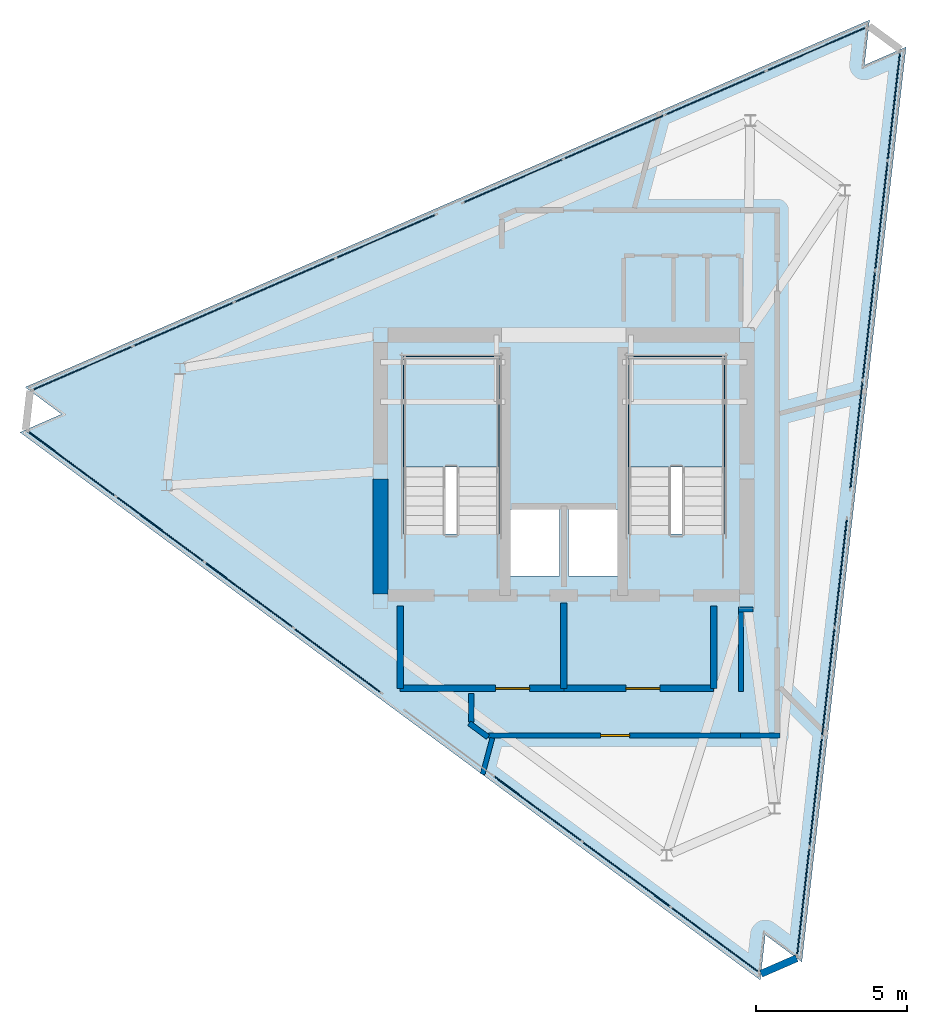
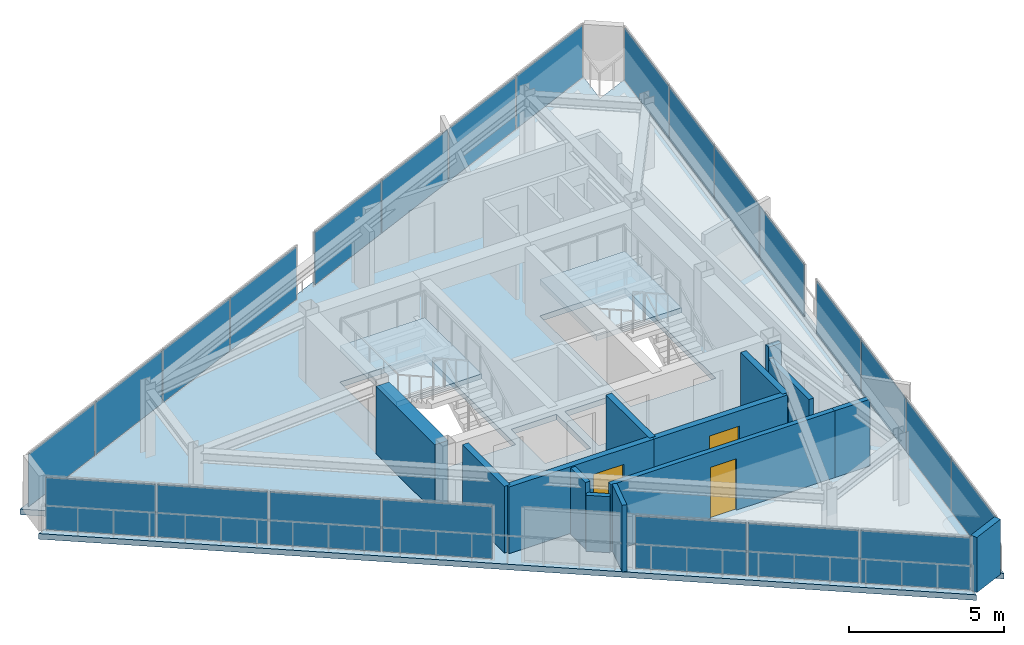
# One storey, part 6 of 9: 23 plates, 14 walls, 3 doors, 3 slabs, 3 openings, 8 elements without a shape of their own.
"""IFC4 building model written with IfcOpenShell, lengths in metres."""

from ifc_helpers import new_model, si_unit, direction, frame, frame_2d, origin, origin_2d, place, context, subcontext, project, spatial, polyline, rectangle, outline, extrude, material, layer, layer_set, type_object, element, fill, aggregate, save


model = new_model("IFC4")

# Units and contexts
model_context = context("Model", 3, precision=1e-05, world=origin(), true_north=direction((0.0, 1.0)))
body_context = subcontext(model_context, "Body", "Model", "MODEL_VIEW")
ifc_project = project(units=[si_unit("LENGTHUNIT", "METRE"), si_unit("AREAUNIT", "SQUARE_METRE"), si_unit("VOLUMEUNIT", "CUBIC_METRE"), si_unit("PLANEANGLEUNIT", "RADIAN"), si_unit("MASSUNIT", "GRAM", prefix="KILO")], contexts=[model_context])

# Site, building, storey
site_placement = place(None, origin())
site = spatial("IfcSite", under=ifc_project, at=site_placement, CompositionType="ELEMENT")
building_placement = place(site_placement, origin())
building = spatial("IfcBuilding", under=site, at=building_placement, Name="Rocaltana Carrier Exchange", CompositionType="ELEMENT")
storey_placement = place(building_placement, frame((0.0, 0.0, 243.360107421875)))
storey = spatial("IfcBuildingStorey", under=building, at=storey_placement, Name="L77", CompositionType="ELEMENT", Elevation=243.360107421875)

# Curtain wall, plates
ifc_material_1 = material(Name="Aluminium 6063-T6", Category="aluminium")
ifc_layer_1 = layer(ifc_material_1, 0.110107421875)
ifc_layer_set_1 = layer_set([ifc_layer_1], Name="Aluminium 6063-T6")
curtain_wall_type = type_object("IfcCurtainWallType", Name="Crown Lantern Faceted Curtain Wall CW-06", PredefinedType="NOTDEFINED", material=ifc_layer_set_1)
curtain_wall_1_placement = place(storey_placement, origin())
curtain_wall_1 = element("IfcCurtainWall", 1, at=curtain_wall_1_placement, inside=storey, type_object=curtain_wall_type, Name="L77 CW-06 Run CW06-L77-F1S1", PredefinedType="NOTDEFINED")
ifc_material_2 = material(Name="Tempered Laminated Glass", Category="glass")
ifc_layer_2 = layer(ifc_material_2, 0.033935546875)
ifc_layer_set_2 = layer_set([ifc_layer_2], Name="Tempered Laminated Glass")
plate_type = type_object("IfcPlateType", Name="CW-06 Stone-Insulated Vision Panel", PredefinedType="CURTAIN_PANEL", material=ifc_layer_set_2)
plate_1_placement = place(storey_placement, frame((7.9052734375, -14.197509765625, 0.054931640625), z_axis=(0.0, 0.0, 1.0), x_axis=(0.113205058236, 0.993571645524, 0.0)))
plate_1 = element("IfcPlate", 2, at=plate_1_placement, type_object=plate_type, Name="CW-06 panel 1.1", PredefinedType="CURTAIN_PANEL", context=body_context, shape_type="SweptSolid", body=[
    extrude(rectangle(XDim=3.567626953125, YDim=0.033935546875, at=origin_2d()), origin(), (0.0, 0.0, 1.0), 2.05810546875),
])
plate_2_placement = place(storey_placement, frame((8.31689453125, -10.58447265625, 0.054931640625), z_axis=(0.0, 0.0, 1.0), x_axis=(0.113205058236, 0.993571645524, 0.0)))
plate_2 = element("IfcPlate", 3, at=plate_2_placement, type_object=plate_type, Name="CW-06 panel 2.1", PredefinedType="CURTAIN_PANEL", context=body_context, shape_type="SweptSolid", body=[
    extrude(rectangle(XDim=3.594970703125, YDim=0.033935546875, at=origin_2d()), origin(), (0.0, 0.0, 1.0), 2.05810546875),
])
plate_3_placement = place(storey_placement, frame((8.730224609375, -6.9580078125, 0.054931640625), z_axis=(0.0, 0.0, 1.0), x_axis=(0.113205058236, 0.993571645524, 0.0)))
plate_3 = element("IfcPlate", 4, at=plate_3_placement, type_object=plate_type, Name="CW-06 panel 3.1", PredefinedType="CURTAIN_PANEL", context=body_context, shape_type="SweptSolid", body=[
    extrude(rectangle(XDim=3.594970703125, YDim=0.033935546875, at=origin_2d()), origin(), (0.0, 0.0, 1.0), 2.05810546875),
])
plate_4_placement = place(storey_placement, frame((9.141845703125, -3.34521484375, 0.054931640625), z_axis=(0.0, 0.0, 1.0), x_axis=(0.113205058236, 0.993571645524, 0.0)))
plate_4 = element("IfcPlate", 5, at=plate_4_placement, type_object=plate_type, Name="CW-06 panel 4.1", PredefinedType="CURTAIN_PANEL", context=body_context, shape_type="SweptSolid", body=[
    extrude(rectangle(XDim=3.567626953125, YDim=0.033935546875, at=origin_2d()), origin(), (0.0, 0.0, 1.0), 2.05810546875),
])
aggregate(curtain_wall_1, [plate_1, plate_2, plate_3, plate_4])

curtain_wall_2_placement = place(storey_placement, origin())
curtain_wall_2 = element("IfcCurtainWall", 6, at=curtain_wall_2_placement, inside=storey, type_object=curtain_wall_type, Name="L77 CW-06 Run CW06-L77-F1S2", PredefinedType="NOTDEFINED")
plate_5_placement = place(storey_placement, frame((9.66015625, 1.202880859375, 0.054931640625), z_axis=(0.0, 0.0, 1.0), x_axis=(0.113198296715, 0.993572415892, 0.0)))
plate_5 = element("IfcPlate", 7, at=plate_5_placement, type_object=plate_type, Name="CW-06 panel 1.1", PredefinedType="CURTAIN_PANEL", context=body_context, shape_type="SweptSolid", body=[
    extrude(rectangle(XDim=3.567626953125, YDim=0.033935546875, at=origin_2d()), origin(), (0.0, 0.0, 1.0), 2.05810546875),
])
plate_6_placement = place(storey_placement, frame((10.07177734375, 4.81591796875, 0.054931640625), z_axis=(0.0, 0.0, 1.0), x_axis=(0.113198296715, 0.993572415892, 0.0)))
plate_6 = element("IfcPlate", 8, at=plate_6_placement, type_object=plate_type, Name="CW-06 panel 2.1", PredefinedType="CURTAIN_PANEL", context=body_context, shape_type="SweptSolid", body=[
    extrude(rectangle(XDim=3.594970703125, YDim=0.033935546875, at=origin_2d()), origin(), (0.0, 0.0, 1.0), 2.05810546875),
])
plate_7_placement = place(storey_placement, frame((10.48486328125, 8.4423828125, 0.054931640625), z_axis=(0.0, 0.0, 1.0), x_axis=(0.113198296715, 0.993572415892, 0.0)))
plate_7 = element("IfcPlate", 9, at=plate_7_placement, type_object=plate_type, Name="CW-06 panel 3.1", PredefinedType="CURTAIN_PANEL", context=body_context, shape_type="SweptSolid", body=[
    extrude(rectangle(XDim=3.594970703125, YDim=0.033935546875, at=origin_2d()), origin(), (0.0, 0.0, 1.0), 2.05810546875),
])
plate_8_placement = place(storey_placement, frame((10.896484375, 12.05517578125, 0.054931640625), z_axis=(0.0, 0.0, 1.0), x_axis=(0.113198296715, 0.993572415892, 0.0)))
plate_8 = element("IfcPlate", 10, at=plate_8_placement, type_object=plate_type, Name="CW-06 panel 4.1", PredefinedType="CURTAIN_PANEL", context=body_context, shape_type="SweptSolid", body=[
    extrude(rectangle(XDim=3.567626953125, YDim=0.033935546875, at=origin_2d()), origin(), (0.0, 0.0, 1.0), 2.05810546875),
])
aggregate(curtain_wall_2, [plate_5, plate_6, plate_7, plate_8])

curtain_wall_3_placement = place(storey_placement, origin())
curtain_wall_3 = element("IfcCurtainWall", 11, at=curtain_wall_3_placement, inside=storey, type_object=curtain_wall_type, Name="L77 CW-06 Run CW06-L77-F2S1", PredefinedType="NOTDEFINED")
plate_9_placement = place(storey_placement, frame((8.3427734375, 13.945068359375, 0.054931640625), z_axis=(0.0, 0.0, 1.0), x_axis=(-0.917058731137, -0.398752158171, 0.0)))
plate_9 = element("IfcPlate", 12, at=plate_9_placement, type_object=plate_type, Name="CW-06 panel 1.1", PredefinedType="CURTAIN_PANEL", context=body_context, shape_type="SweptSolid", body=[
    extrude(rectangle(XDim=3.567626953125, YDim=0.033935546875, at=origin_2d()), origin(), (0.0, 0.0, 1.0), 2.05810546875),
])
plate_10_placement = place(storey_placement, frame((5.008056640625, 12.4951171875, 0.054931640625), z_axis=(0.0, 0.0, 1.0), x_axis=(-0.917058731137, -0.398752158171, 0.0)))
plate_10 = element("IfcPlate", 13, at=plate_10_placement, type_object=plate_type, Name="CW-06 panel 2.1", PredefinedType="CURTAIN_PANEL", context=body_context, shape_type="SweptSolid", body=[
    extrude(rectangle(XDim=3.594970703125, YDim=0.033935546875, at=origin_2d()), origin(), (0.0, 0.0, 1.0), 2.05810546875),
])
plate_11_placement = place(storey_placement, frame((1.66064453125, 11.03955078125, 0.054931640625), z_axis=(0.0, 0.0, 1.0), x_axis=(-0.917058731137, -0.398752158171, 0.0)))
plate_11 = element("IfcPlate", 14, at=plate_11_placement, type_object=plate_type, Name="CW-06 panel 3.1", PredefinedType="CURTAIN_PANEL", context=body_context, shape_type="SweptSolid", body=[
    extrude(rectangle(XDim=3.594970703125, YDim=0.033935546875, at=origin_2d()), origin(), (0.0, 0.0, 1.0), 2.05810546875),
])
plate_12_placement = place(storey_placement, frame((-1.674072265625, 9.589599609375, 0.054931640625), z_axis=(0.0, 0.0, 1.0), x_axis=(-0.917058731137, -0.398752158171, 0.0)))
plate_12 = element("IfcPlate", 15, at=plate_12_placement, type_object=plate_type, Name="CW-06 panel 4.1", PredefinedType="CURTAIN_PANEL", context=body_context, shape_type="SweptSolid", body=[
    extrude(rectangle(XDim=3.567626953125, YDim=0.033935546875, at=origin_2d()), origin(), (0.0, 0.0, 1.0), 2.05810546875),
])
aggregate(curtain_wall_3, [plate_9, plate_10, plate_11, plate_12])

curtain_wall_4_placement = place(storey_placement, origin())
curtain_wall_4 = element("IfcCurtainWall", 16, at=curtain_wall_4_placement, inside=storey, type_object=curtain_wall_type, Name="L77 CW-06 Run CW06-L77-F2S2", PredefinedType="NOTDEFINED")
plate_13_placement = place(storey_placement, frame((-5.871826171875, 7.764404296875, 0.054931640625), z_axis=(0.0, 0.0, 1.0), x_axis=(-0.917058731137, -0.398752158171, 0.0)))
plate_13 = element("IfcPlate", 17, at=plate_13_placement, type_object=plate_type, Name="CW-06 panel 1.1", PredefinedType="CURTAIN_PANEL", context=body_context, shape_type="SweptSolid", body=[
    extrude(rectangle(XDim=3.567626953125, YDim=0.033935546875, at=origin_2d()), origin(), (0.0, 0.0, 1.0), 2.05810546875),
])
plate_14_placement = place(storey_placement, frame((-9.206298828125, 6.314453125, 0.054931640625), z_axis=(0.0, 0.0, 1.0), x_axis=(-0.917058731137, -0.398752158171, 0.0)))
plate_14 = element("IfcPlate", 18, at=plate_14_placement, type_object=plate_type, Name="CW-06 panel 2.1", PredefinedType="CURTAIN_PANEL", context=body_context, shape_type="SweptSolid", body=[
    extrude(rectangle(XDim=3.594970703125, YDim=0.033935546875, at=origin_2d()), origin(), (0.0, 0.0, 1.0), 2.05810546875),
])
plate_15_placement = place(storey_placement, frame((-12.5537109375, 4.85888671875, 0.054931640625), z_axis=(0.0, 0.0, 1.0), x_axis=(-0.917058731137, -0.398752158171, 0.0)))
plate_15 = element("IfcPlate", 19, at=plate_15_placement, type_object=plate_type, Name="CW-06 panel 3.1", PredefinedType="CURTAIN_PANEL", context=body_context, shape_type="SweptSolid", body=[
    extrude(rectangle(XDim=3.594970703125, YDim=0.033935546875, at=origin_2d()), origin(), (0.0, 0.0, 1.0), 2.05810546875),
])
plate_16_placement = place(storey_placement, frame((-15.888427734375, 3.408935546875, 0.054931640625), z_axis=(0.0, 0.0, 1.0), x_axis=(-0.917058731137, -0.398752158171, 0.0)))
plate_16 = element("IfcPlate", 20, at=plate_16_placement, type_object=plate_type, Name="CW-06 panel 4.1", PredefinedType="CURTAIN_PANEL", context=body_context, shape_type="SweptSolid", body=[
    extrude(rectangle(XDim=3.567626953125, YDim=0.033935546875, at=origin_2d()), origin(), (0.0, 0.0, 1.0), 2.05810546875),
])
aggregate(curtain_wall_4, [plate_13, plate_14, plate_15, plate_16])

curtain_wall_5_placement = place(storey_placement, origin())
curtain_wall_5 = element("IfcCurtainWall", 21, at=curtain_wall_5_placement, inside=storey, type_object=curtain_wall_type, Name="L77 CW-06 Run CW06-L77-F3S1", PredefinedType="NOTDEFINED")
plate_17_placement = place(storey_placement, frame((-16.248046875, 0.25244140625, 0.054931640625), z_axis=(0.0, 0.0, 1.0), x_axis=(0.803857029765, -0.594822558161, 0.0)))
plate_17 = element("IfcPlate", 22, at=plate_17_placement, type_object=plate_type, Name="CW-06 panel 1.1", PredefinedType="CURTAIN_PANEL", context=body_context, shape_type="SweptSolid", body=[
    extrude(rectangle(XDim=3.5673828125, YDim=0.033935546875, at=origin_2d()), origin(), (0.0, 0.0, 1.0), 2.05810546875),
])
plate_18_placement = place(storey_placement, frame((-13.324951171875, -1.910400390625, 0.054931640625), z_axis=(0.0, 0.0, 1.0), x_axis=(0.803857029765, -0.594822558161, 0.0)))
plate_18 = element("IfcPlate", 23, at=plate_18_placement, type_object=plate_type, Name="CW-06 panel 2.1", PredefinedType="CURTAIN_PANEL", context=body_context, shape_type="SweptSolid", body=[
    extrude(rectangle(XDim=3.594970703125, YDim=0.033935546875, at=origin_2d()), origin(), (0.0, 0.0, 1.0), 2.05810546875),
])
plate_19_placement = place(storey_placement, frame((-10.390869140625, -4.08154296875, 0.054931640625), z_axis=(0.0, 0.0, 1.0), x_axis=(0.803857029765, -0.594822558161, 0.0)))
plate_19 = element("IfcPlate", 24, at=plate_19_placement, type_object=plate_type, Name="CW-06 panel 3.1", PredefinedType="CURTAIN_PANEL", context=body_context, shape_type="SweptSolid", body=[
    extrude(rectangle(XDim=3.594970703125, YDim=0.033935546875, at=origin_2d()), origin(), (0.0, 0.0, 1.0), 2.05810546875),
])
plate_20_placement = place(storey_placement, frame((-7.4677734375, -6.244384765625, 0.054931640625), z_axis=(0.0, 0.0, 1.0), x_axis=(0.803857029765, -0.594822558161, 0.0)))
plate_20 = element("IfcPlate", 25, at=plate_20_placement, type_object=plate_type, Name="CW-06 panel 4.1", PredefinedType="CURTAIN_PANEL", context=body_context, shape_type="SweptSolid", body=[
    extrude(rectangle(XDim=3.5673828125, YDim=0.033935546875, at=origin_2d()), origin(), (0.0, 0.0, 1.0), 2.05810546875),
])
aggregate(curtain_wall_5, [plate_17, plate_18, plate_19, plate_20])

curtain_wall_6_placement = place(storey_placement, origin())
curtain_wall_6 = element("IfcCurtainWall", 26, at=curtain_wall_6_placement, inside=storey, type_object=curtain_wall_type, Name="L77 CW-06 Run CW06-L77-F3S2", PredefinedType="NOTDEFINED")
plate_21_placement = place(storey_placement, frame((-0.865234375, -11.13037109375, 0.054931640625), z_axis=(0.0, 0.0, 1.0), x_axis=(0.803857029765, -0.594822558161, 0.0)))
plate_21 = element("IfcPlate", 27, at=plate_21_placement, type_object=plate_type, Name="CW-06 panel 2.1", PredefinedType="CURTAIN_PANEL", context=body_context, shape_type="SweptSolid", body=[
    extrude(rectangle(XDim=3.594970703125, YDim=0.033935546875, at=origin_2d()), origin(), (0.0, 0.0, 1.0), 2.05810546875),
])
plate_22_placement = place(storey_placement, frame((2.06884765625, -13.30126953125, 0.054931640625), z_axis=(0.0, 0.0, 1.0), x_axis=(0.803857029765, -0.594822558161, 0.0)))
plate_22 = element("IfcPlate", 28, at=plate_22_placement, type_object=plate_type, Name="CW-06 panel 3.1", PredefinedType="CURTAIN_PANEL", context=body_context, shape_type="SweptSolid", body=[
    extrude(rectangle(XDim=3.594970703125, YDim=0.033935546875, at=origin_2d()), origin(), (0.0, 0.0, 1.0), 2.05810546875),
])
plate_23_placement = place(storey_placement, frame((4.991943359375, -15.46435546875, 0.054931640625), z_axis=(0.0, 0.0, 1.0), x_axis=(0.803857029765, -0.594822558161, 0.0)))
plate_23 = element("IfcPlate", 29, at=plate_23_placement, type_object=plate_type, Name="CW-06 panel 4.1", PredefinedType="CURTAIN_PANEL", context=body_context, shape_type="SweptSolid", body=[
    extrude(rectangle(XDim=3.5673828125, YDim=0.033935546875, at=origin_2d()), origin(), (0.0, 0.0, 1.0), 2.05810546875),
])
aggregate(curtain_wall_6, [plate_21, plate_22, plate_23])

# Slab
ifc_material_3 = material(Name="Concrete C50/60", Category="concrete")
ifc_layer_3 = layer(ifc_material_3, 0.219970703125)
ifc_layer_set_3 = layer_set([ifc_layer_3], Name="Concrete C50/60")
slab_type_1 = type_object("IfcSlabType", Name="Crown Pyramid Slab 220", PredefinedType="FLOOR", material=ifc_layer_set_3)
slab_1_placement = place(storey_placement, frame((0.0, 0.0, -0.22021484375)))
element("IfcSlab", 30, at=slab_1_placement, inside=storey, type_object=slab_type_1, Name="L77 Structural Floor Slab", PredefinedType="FLOOR", context=body_context, shape_type="SweptSolid", body=[
    extrude(outline(polyline([(6.4833984375, -16.7919921875), (6.6533203125, -15.301513671875), (7.859130859375, -16.19384765625), (11.300537109375, 14.0107421875), (9.9248046875, 13.41259765625), (10.0947265625, 14.903076171875), (-17.783935546875, 2.781005859375), (-16.578125, 1.888916015625), (-17.953857421875, 1.290771484375), (6.4833984375, -16.7919921875)]), holes=[polyline([(-5.300048828125, -2.06005859375), (-2.139892578125, -2.06005859375), (-2.139892578125, 3.800048828125), (-5.300048828125, 3.800048828125), (-5.300048828125, -2.06005859375)]), polyline([(2.139892578125, -2.06005859375), (5.300048828125, -2.06005859375), (5.300048828125, 3.800048828125), (2.139892578125, 3.800048828125), (2.139892578125, -2.06005859375)]), polyline([(-1.85009765625, -3.449951171875), (-0.14990234375, -3.449951171875), (-0.14990234375, -1.25), (-1.85009765625, -1.25), (-1.85009765625, -3.449951171875)]), polyline([(0.14990234375, -3.449951171875), (1.85009765625, -3.449951171875), (1.85009765625, -1.25), (0.14990234375, -1.25), (0.14990234375, -3.449951171875)])]), origin(), (0.0, 0.0, 1.0), 0.22021484375),
])

# Stair, slab
ifc_material_4 = material(Name="Precast concrete C45/55", Category="concrete")
stair_type = type_object("IfcStairType", Name="Standard Dog-Leg Stair 160", PredefinedType="HALF_TURN_STAIR", material=ifc_material_4)
stair_1_placement = place(storey_placement, origin())
stair_1 = element("IfcStair", 31, at=stair_1_placement, inside=storey, type_object=stair_type, Name="L77 Core West Exit Stair ST-1", PredefinedType="HALF_TURN_STAIR")
ifc_material_5 = material(Name="Precast concrete C45/55", Category="concrete")
ifc_layer_4 = layer(ifc_material_5, 0.199951171875)
ifc_layer_set_4 = layer_set([ifc_layer_4], Name="Precast concrete C45/55")
slab_type_2 = type_object("IfcSlabType", Name="Precast Stair Half-Landing 200", PredefinedType="LANDING", material=ifc_layer_set_4)
slab_2_placement = place(storey_placement, frame((0.0, 0.0, 1.239990234375)))
slab_2 = element("IfcSlab", 32, at=slab_2_placement, type_object=slab_type_2, Name="ST-1 landing 1", PredefinedType="LANDING", context=body_context, shape_type="SweptSolid", body=[
    extrude(outline(polyline([(-2.139892578125, 0.139892578125), (-2.139892578125, 3.800048828125), (-5.300048828125, 3.800048828125), (-5.300048828125, 0.139892578125), (-2.139892578125, 0.139892578125)])), origin(), (0.0, 0.0, 1.0), 0.199951171875),
])
aggregate(stair_1, [slab_2])

stair_2_placement = place(storey_placement, origin())
stair_2 = element("IfcStair", 33, at=stair_2_placement, inside=storey, type_object=stair_type, Name="L77 Core East Exit Stair ST-2", PredefinedType="HALF_TURN_STAIR")
slab_3_placement = place(storey_placement, frame((0.0, 0.0, 1.239990234375)))
slab_3 = element("IfcSlab", 34, at=slab_3_placement, type_object=slab_type_2, Name="ST-2 landing 1", PredefinedType="LANDING", context=body_context, shape_type="SweptSolid", body=[
    extrude(outline(polyline([(5.300048828125, 0.139892578125), (5.300048828125, 3.800048828125), (2.139892578125, 3.800048828125), (2.139892578125, 0.139892578125), (5.300048828125, 0.139892578125)])), origin(), (0.0, 0.0, 1.0), 0.199951171875),
])
aggregate(stair_2, [slab_3])

# Walls
ifc_material_6 = material(Name="Double Acoustic Gypsum Partition", Category="gypsum")
ifc_layer_5 = layer(ifc_material_6, 0.159912109375)
ifc_layer_set_5 = layer_set([ifc_layer_5], Name="Double Acoustic Gypsum Partition")
wall_type_1 = type_object("IfcWallType", Name="Acoustic Studio Partition 160 EI60", PredefinedType="PARTITIONING", material=ifc_layer_set_5)
wall_1_placement = place(storey_placement, frame((-2.35791015625, -8.800048828125, 0.0), z_axis=(0.0, 0.0, 1.0), x_axis=(-0.258739361089, -0.965947174034, 0.0)))
element("IfcWall", 35, at=wall_1_placement, inside=storey, type_object=wall_type_1, Name="L77 Suite Divider Wall D1", PredefinedType="PARTITIONING", context=body_context, shape_type="SweptSolid", body=[
    extrude(rectangle(XDim=1.24169921875, YDim=0.159912109375, at=frame_2d((0.620849609375, 0.0))), origin(), (0.0, 0.0, 1.0), 2.622802734375),
])
ifc_material_7 = material(Name="Concrete C50/60", Category="concrete")
ifc_layer_6 = layer(ifc_material_7, 0.5)
ifc_layer_set_6 = layer_set([ifc_layer_6], Name="Concrete C50/60")
wall_type_2 = type_object("IfcWallType", Name="Core Shear Wall 500", PredefinedType="SHEAR", material=ifc_layer_set_6)
wall_2_placement = place(storey_placement, frame((-6.050048828125, -4.050048828125, 0.0), z_axis=(0.0, 0.0, 1.0), x_axis=(0.0, 1.0, 0.0)))
element("IfcWall", 36, at=wall_2_placement, inside=storey, type_object=wall_type_2, Name="L77 Core Shear Wall CW-WS", PredefinedType="SHEAR", context=body_context, shape_type="SweptSolid", body=[
    extrude(rectangle(XDim=3.800048828125, YDim=0.5, at=frame_2d((1.89990234375, 0.0))), origin(), (0.0, 0.0, 1.0), 2.64794921875),
])
ifc_material_8 = material(Name="Gypsum & Steel Stud Partition", Category="steel")
ifc_layer_7 = layer(ifc_material_8, 0.179931640625)
ifc_layer_set_7 = layer_set([ifc_layer_7], Name="Gypsum & Steel Stud Partition")
wall_type_3 = type_object("IfcWallType", Name="Corridor Fire Partition 180 EI60", PredefinedType="PARTITIONING", material=ifc_layer_set_7)
wall_3_placement = place(storey_placement, frame((-2.50341796875, -8.7734375, 0.0), z_axis=(0.0, 0.0, 1.0), x_axis=(-0.803978362095, 0.594658551845, 0.0)))
element("IfcWall", 37, at=wall_3_placement, inside=storey, type_object=wall_type_3, Name="L77 Corridor Partition 1", PredefinedType="PARTITIONING", context=body_context, shape_type="SweptSolid", body=[
    extrude(rectangle(XDim=0.769775390625, YDim=0.179931640625, at=frame_2d((0.384765625, 0.0))), origin(), (0.0, 0.0, 1.0), 2.202880859375),
])
wall_4_placement = place(storey_placement, frame((-3.050048828125, -8.279052734375, 0.0), z_axis=(0.0, 0.0, 1.0), x_axis=(0.0, 1.0, 0.0)))
element("IfcWall", 38, at=wall_4_placement, inside=storey, type_object=wall_type_3, Name="L77 Corridor Partition 2", PredefinedType="PARTITIONING", context=body_context, shape_type="SweptSolid", body=[
    extrude(rectangle(XDim=0.948974609375, YDim=0.179931640625, at=frame_2d((0.474609375, 0.0))), origin(), (0.0, 0.0, 1.0), 2.622802734375),
])
wall_5_placement = place(storey_placement, frame((5.85009765625, -7.260009765625, 0.0), z_axis=(0.0, 0.0, 1.0), x_axis=(0.0, 1.0, 0.0)))
element("IfcWall", 39, at=wall_5_placement, inside=storey, type_object=wall_type_3, Name="L77 Corridor Partition 3", PredefinedType="PARTITIONING", context=body_context, shape_type="SweptSolid", body=[
    extrude(rectangle(XDim=2.610107421875, YDim=0.179931640625, at=frame_2d((1.30517578125, 0.0))), origin(), (0.0, 0.0, 1.0), 2.15283203125),
])
wall_6_placement = place(storey_placement, frame((5.760009765625, -4.56005859375, 0.0), z_axis=(0.0, 0.0, 1.0), x_axis=(1.0, 0.0, 0.0)))
element("IfcWall", 40, at=wall_6_placement, inside=storey, type_object=wall_type_3, Name="L77 Corridor Partition 4", PredefinedType="PARTITIONING", context=body_context, shape_type="SweptSolid", body=[
    extrude(rectangle(XDim=0.47998046875, YDim=0.179931640625, at=frame_2d((0.239990234375, 0.0))), origin(), (0.0, 0.0, 1.0), 2.622802734375),
])
wall_7_placement = place(storey_placement, frame((7.139892578125, -8.719970703125, 0.0), z_axis=(0.0, 0.0, 1.0), x_axis=(-1.0, 0.0, 0.0)))
element("IfcWall", 41, at=wall_7_placement, inside=storey, type_object=wall_type_3, Name="L77 Corridor Partition 13", PredefinedType="PARTITIONING", context=body_context, shape_type="SweptSolid", body=[
    extrude(rectangle(XDim=1.309814453125, YDim=0.179931640625, at=frame_2d((0.65478515625, 0.0))), origin(), (0.0, 0.0, 1.0), 2.622802734375),
])

# Wall, opening, door
wall_8_placement = place(storey_placement, frame((5.8701171875, -8.719970703125, 0.0), z_axis=(0.0, 0.0, 1.0), x_axis=(-1.0, 0.0, 0.0)))
wall_8 = element("IfcWall", 42, at=wall_8_placement, inside=storey, type_object=wall_type_3, Name="L77 Corridor Partition 14", PredefinedType="PARTITIONING", context=body_context, shape_type="SweptSolid", body=[
    extrude(rectangle(XDim=8.35595703125, YDim=0.179931640625, at=frame_2d((4.177978515625, 0.0))), origin(), (0.0, 0.0, 1.0), 2.622802734375),
])
opening_1_placement = place(wall_8_placement, frame((3.697998046875, 0.0, 0.0)))
opening_1 = element("IfcOpeningElement", 43, at=opening_1_placement, cuts=wall_8, Name="Opening D-RM098", PredefinedType="OPENING", context=body_context, shape_type="SweptSolid", body=[
    extrude(rectangle(XDim=0.9599609375, YDim=2.02001953125, at=frame_2d((0.47998046875, 1.010009765625))), frame((0.0, 0.099853515625, 0.0), z_axis=(0.0, -1.0, 0.0), x_axis=(1.0, 0.0, 0.0)), (0.0, 0.0, 1.0), 0.199951171875),
])
ifc_material_9 = material(Name="Engineered Hardwood Timber", Category="wood")
door_type_1 = type_object("IfcDoorType", Name="Workspace Single Door 960x2020", OperationType="NOTDEFINED", PredefinedType="DOOR", material=ifc_material_9)
door_1_placement = place(opening_1_placement, origin())
door_1 = element("IfcDoor", 44, at=door_1_placement, inside=storey, type_object=door_type_1, Name="L77 Cloud Architecture Office Entrance Door", OperationType="SINGLE_SWING_RIGHT", OverallHeight=2.02001953125, OverallWidth=0.9599609375, PredefinedType="DOOR", context=body_context, shape_type="SweptSolid", body=[
    extrude(rectangle(XDim=0.9599609375, YDim=2.02001953125, at=frame_2d((0.47998046875, 1.010009765625))), frame((0.0, 0.02490234375, 0.0), z_axis=(0.0, -1.0, 0.0), x_axis=(1.0, 0.0, 0.0)), (0.0, 0.0, 1.0), 0.050048828125),
])
fill(opening_1, door_1)

# Walls
ifc_material_10 = material(Name="Autoclaved Aerated Concrete C30/37", Category="concrete")
ifc_layer_8 = layer(ifc_material_10, 0.219970703125)
ifc_layer_set_8 = layer_set([ifc_layer_8], Name="Autoclaved Aerated Concrete C30/37")
wall_type_4 = type_object("IfcWallType", Name="Firefighting Lobby Wall 220 EI120", PredefinedType="PARTITIONING", material=ifc_layer_set_8)
for number, where, z_axis, x_axis, name in (
    (45, (-5.39990234375, -7.159912109375, 0.0), (0.0, 0.0, 1.0), (0.0, 1.0, 0.0), "L77 FFL Lobby 1 West Wall"),
    (46, (4.949951171875, -7.159912109375, 0.0), (0.0, 0.0, 1.0), (0.0, 1.0, 0.0), "L77 FFL Lobby 2 East Wall"),
):
    element("IfcWall", number, at=place(storey_placement, frame(where, z_axis=z_axis, x_axis=x_axis)), inside=storey, type_object=wall_type_4, Name=name, PredefinedType="PARTITIONING", context=body_context, shape_type="SweptSolid", body=[
        extrude(rectangle(XDim=2.7099609375, YDim=0.219970703125, at=frame_2d((1.35498046875, 0.0))), origin(), (0.0, 0.0, 1.0), 2.622802734375),
    ])
wall_9_placement = place(storey_placement, frame((0.0, -7.159912109375, 0.0), z_axis=(0.0, 0.0, 1.0), x_axis=(0.0, 1.0, 0.0)))
element("IfcWall", 47, at=wall_9_placement, inside=storey, type_object=wall_type_4, Name="L77 FFL Lobby Centre Wall", PredefinedType="PARTITIONING", context=body_context, shape_type="SweptSolid", body=[
    extrude(rectangle(XDim=2.809814453125, YDim=0.219970703125, at=frame_2d((1.40478515625, 0.0))), origin(), (0.0, 0.0, 1.0), 2.622802734375),
])

# Wall, opening, door
wall_10_placement = place(storey_placement, frame((-5.39990234375, -7.159912109375, 0.0), z_axis=(0.0, 0.0, 1.0), x_axis=(1.0, 0.0, 0.0)))
wall_10 = element("IfcWall", 48, at=wall_10_placement, inside=storey, type_object=wall_type_4, Name="L77 FFL Lobby 1 South Wall", PredefinedType="PARTITIONING", context=body_context, shape_type="SweptSolid", body=[
    extrude(rectangle(XDim=5.39990234375, YDim=0.219970703125, at=frame_2d((2.699951171875, 0.0))), origin(), (0.0, 0.0, 1.0), 2.622802734375),
])
opening_2_placement = place(wall_10_placement, frame((3.14990234375, 0.0, 0.0)))
opening_2 = element("IfcOpeningElement", 49, at=opening_2_placement, cuts=wall_10, Name="Opening D-FF115", PredefinedType="OPENING", context=body_context, shape_type="SweptSolid", body=[
    extrude(rectangle(XDim=1.1201171875, YDim=2.02001953125, at=frame_2d((0.56005859375, 1.010009765625))), frame((0.0, 0.119873046875, 0.0), z_axis=(0.0, -1.0, 0.0), x_axis=(1.0, 0.0, 0.0)), (0.0, 0.0, 1.0), 0.239990234375),
])
ifc_material_11 = material(Name="Hollow Metal Fire Door Assembly", Category="steel")
door_type_2 = type_object("IfcDoorType", Name="Firefighting Lobby Door 1120x2020 FD60S", OperationType="NOTDEFINED", PredefinedType="DOOR", material=ifc_material_11)
door_2_placement = place(opening_2_placement, origin())
door_2 = element("IfcDoor", 50, at=door_2_placement, inside=storey, type_object=door_type_2, Name="L77 Firefighting Lift Lobby 1 Door", OperationType="SINGLE_SWING_LEFT", OverallHeight=2.02001953125, OverallWidth=1.1201171875, PredefinedType="DOOR", context=body_context, shape_type="SweptSolid", body=[
    extrude(rectangle(XDim=1.1201171875, YDim=2.02001953125, at=frame_2d((0.56005859375, 1.010009765625))), frame((0.0, 0.02490234375, 0.0), z_axis=(0.0, -1.0, 0.0), x_axis=(1.0, 0.0, 0.0)), (0.0, 0.0, 1.0), 0.050048828125),
])
fill(opening_2, door_2)

wall_11_placement = place(storey_placement, frame((0.0, -7.159912109375, 0.0), z_axis=(0.0, 0.0, 1.0), x_axis=(1.0, 0.0, 0.0)))
wall_11 = element("IfcWall", 51, at=wall_11_placement, inside=storey, type_object=wall_type_4, Name="L77 FFL Lobby 2 South Wall", PredefinedType="PARTITIONING", context=body_context, shape_type="SweptSolid", body=[
    extrude(rectangle(XDim=4.949951171875, YDim=0.219970703125, at=frame_2d((2.47509765625, 0.0))), origin(), (0.0, 0.0, 1.0), 2.622802734375),
])
opening_3_placement = place(wall_11_placement, frame((2.050048828125, 0.0, 0.0)))
opening_3 = element("IfcOpeningElement", 52, at=opening_3_placement, cuts=wall_11, Name="Opening D-FF115", PredefinedType="OPENING", context=body_context, shape_type="SweptSolid", body=[
    extrude(rectangle(XDim=1.1201171875, YDim=2.02001953125, at=frame_2d((0.56005859375, 1.010009765625))), frame((0.0, 0.119873046875, 0.0), z_axis=(0.0, -1.0, 0.0), x_axis=(1.0, 0.0, 0.0)), (0.0, 0.0, 1.0), 0.239990234375),
])
door_3_placement = place(opening_3_placement, origin())
door_3 = element("IfcDoor", 53, at=door_3_placement, inside=storey, type_object=door_type_2, Name="L77 Firefighting Lift Lobby 2 Door", OperationType="SINGLE_SWING_RIGHT", OverallHeight=2.02001953125, OverallWidth=1.1201171875, PredefinedType="DOOR", context=body_context, shape_type="SweptSolid", body=[
    extrude(rectangle(XDim=1.1201171875, YDim=2.02001953125, at=frame_2d((0.56005859375, 1.010009765625))), frame((0.0, 0.02490234375, 0.0), z_axis=(0.0, -1.0, 0.0), x_axis=(1.0, 0.0, 0.0)), (0.0, 0.0, 1.0), 0.050048828125),
])
fill(opening_3, door_3)

# Wall
ifc_material_12 = material(Name="Precast sandstone concrete C40/50", Category="masonry")
ifc_layer_9 = layer(ifc_material_12, 0.239990234375)
ifc_layer_set_9 = layer_set([ifc_layer_9], Name="Precast sandstone concrete C40/50")
wall_type_5 = type_object("IfcWallType", Name="Terrace Stone Parapet Wall 240", PredefinedType="PARAPET", material=ifc_layer_set_9)
wall_12_placement = place(storey_placement, frame((6.51025390625, -16.587646484375, 0.0), z_axis=(0.0, 0.0, 1.0), x_axis=(0.917064030228, 0.398739970986, 0.0)))
element("IfcWall", 54, at=wall_12_placement, inside=storey, type_object=wall_type_5, Name="L77 Crown Corner Mullion Wall C3", PredefinedType="PARAPET", context=body_context, shape_type="SweptSolid", body=[
    extrude(rectangle(XDim=1.288330078125, YDim=0.239990234375, at=frame_2d((0.64404296875, 0.0))), origin(), (0.0, 0.0, 1.0), 2.16796875),
])

save(model, "model.ifc")
